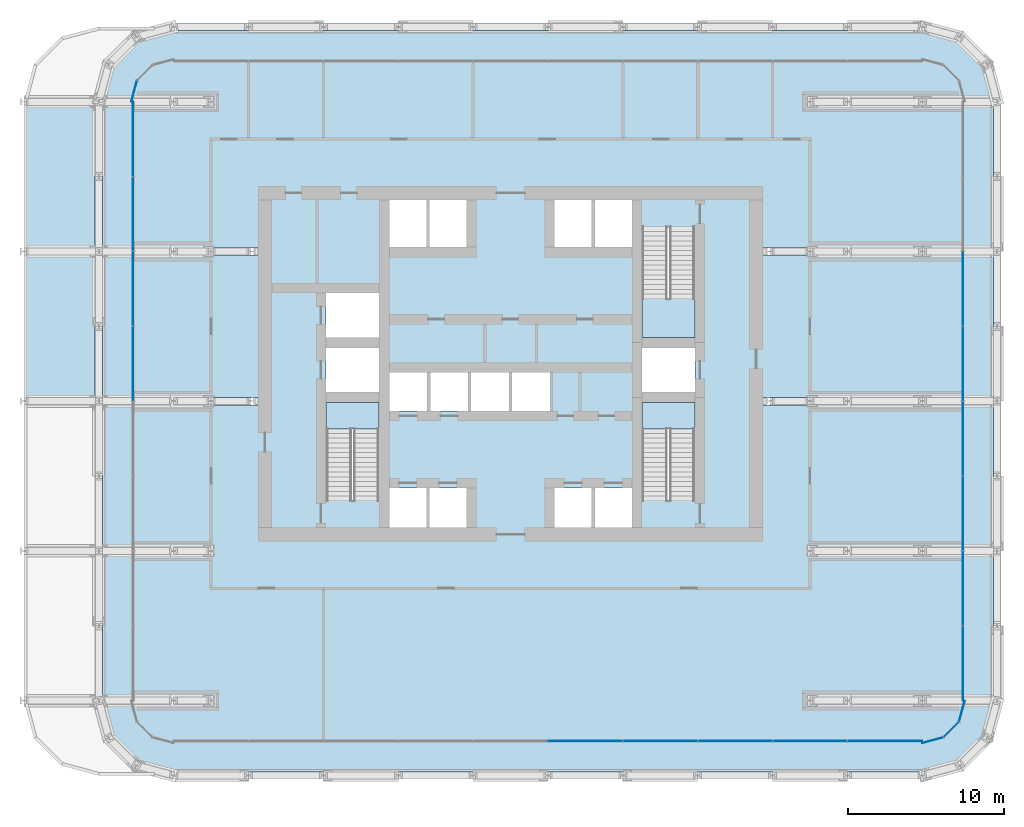
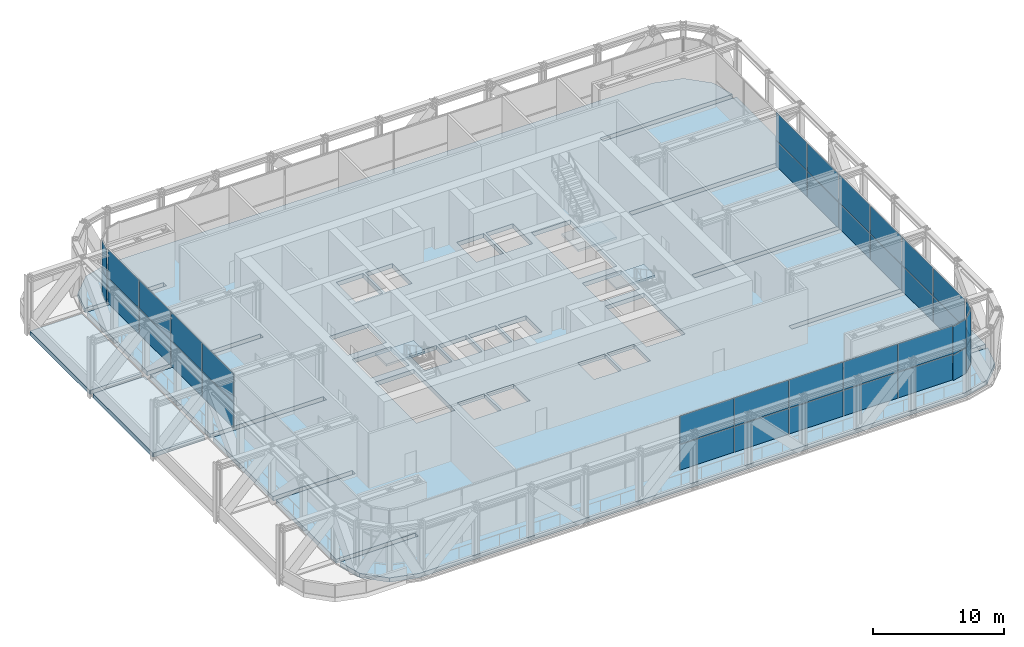
# One storey, part 18 of 30: 38 plates, 6 slabs, 8 elements without a shape of their own.
"""IFC4 building model written with IfcOpenShell, lengths in metres."""

from ifc_helpers import new_model, si_unit, direction, frame, origin, origin_2d, place, context, subcontext, project, spatial, polyline, rectangle, outline, extrude, material, layer, layer_set, type_object, element, aggregate, save


model = new_model("IFC4")

# Units and contexts
model_context = context("Model", 3, precision=1e-05, world=origin(), true_north=direction((0.0, 1.0)))
body_context = subcontext(model_context, "Body", "Model", "MODEL_VIEW")
ifc_project = project(units=[si_unit("LENGTHUNIT", "METRE"), si_unit("AREAUNIT", "SQUARE_METRE"), si_unit("VOLUMEUNIT", "CUBIC_METRE"), si_unit("PLANEANGLEUNIT", "RADIAN"), si_unit("MASSUNIT", "GRAM", prefix="KILO")], contexts=[model_context])

# Site, building, storey
site_placement = place(None, origin())
site = spatial("IfcSite", under=ifc_project, at=site_placement, CompositionType="ELEMENT")
building_placement = place(site_placement, origin())
building = spatial("IfcBuilding", under=site, at=building_placement, Name="Madar Terraces", CompositionType="ELEMENT")
storey_placement = place(building_placement, frame((0.0, 0.0, 53.89990234375)))
storey = spatial("IfcBuildingStorey", under=building, at=storey_placement, Name="L13", CompositionType="ELEMENT", Elevation=53.89990234375)

# Slab
ifc_material_1 = material(Name="Concrete C50/60", Category="concrete")
ifc_layer_1 = layer(ifc_material_1, 0.39990234375)
ifc_layer_set_1 = layer_set([ifc_layer_1], Name="FS6 PT flat slab 400")
slab_type_1 = type_object("IfcSlabType", Name="FS6 PT flat slab 400", PredefinedType="FLOOR", material=ifc_layer_set_1)
slab_1_placement = place(storey_placement, frame((0.0, 0.0, -0.39990234375)))
element("IfcSlab", 1, at=slab_1_placement, inside=storey, type_object=slab_type_1, Name="Floor slab L13 (1)", PredefinedType="FLOOR", context=body_context, shape_type="SweptSolid", body=[
    extrude(outline(polyline([(9.631103515625, 0.236328125), (57.56884765625, 0.236328125), (59.877685546875, 0.85498046875), (61.545166015625, 2.522216796875), (62.092041015625, 4.563720703125), (50.39990234375, 4.563720703125), (50.39990234375, 5.0361328125), (62.163818359375, 5.0361328125), (62.163818359375, 14.163818359375), (50.39990234375, 14.163818359375), (50.39990234375, 14.63623046875), (62.163818359375, 14.63623046875), (62.163818359375, 23.763671875), (47.39990234375, 23.763671875), (47.39990234375, 24.236328125), (62.163818359375, 24.236328125), (62.163818359375, 33.36376953125), (47.39990234375, 33.36376953125), (47.39990234375, 33.836181640625), (62.163818359375, 33.836181640625), (62.163818359375, 42.9638671875), (50.39990234375, 42.9638671875), (50.39990234375, 43.436279296875), (62.092041015625, 43.436279296875), (61.545166015625, 45.477783203125), (59.877685546875, 47.14501953125), (57.56884765625, 47.763671875), (9.631103515625, 47.763671875), (7.322265625, 47.14501953125), (5.65478515625, 45.477783203125), (5.10791015625, 43.436279296875), (12.0, 43.436279296875), (12.0, 42.9638671875), (5.0361328125, 42.9638671875), (5.0361328125, 33.836181640625), (15.0, 33.836181640625), (15.0, 33.36376953125), (5.0361328125, 33.36376953125), (5.0361328125, 24.236328125), (15.0, 24.236328125), (15.0, 23.763671875), (5.0361328125, 23.763671875), (5.0361328125, 14.63623046875), (12.0, 14.63623046875), (12.0, 14.163818359375), (5.0361328125, 14.163818359375), (5.0361328125, 5.0361328125), (12.0, 5.0361328125), (12.0, 4.563720703125), (5.10791015625, 4.563720703125), (5.65478515625, 2.522216796875), (7.322265625, 0.85498046875), (9.631103515625, 0.236328125)]), holes=[polyline([(23.425048828125, 15.89990234375), (23.425048828125, 18.425048828125), (25.800048828125, 18.425048828125), (25.800048828125, 15.89990234375), (23.425048828125, 15.89990234375)]), polyline([(26.0, 15.89990234375), (26.0, 18.425048828125), (28.375, 18.425048828125), (28.375, 15.89990234375), (26.0, 15.89990234375)]), polyline([(19.375, 17.64990234375), (19.375, 23.925048828125), (22.77490234375, 23.925048828125), (22.77490234375, 17.64990234375), (19.375, 17.64990234375)]), polyline([(23.425048828125, 23.375), (23.425048828125, 25.824951171875), (25.85009765625, 25.824951171875), (25.85009765625, 23.375), (23.425048828125, 23.375)]), polyline([(26.050048828125, 23.375), (26.050048828125, 25.824951171875), (28.47509765625, 25.824951171875), (28.47509765625, 23.375), (26.050048828125, 23.375)]), polyline([(19.375, 24.574951171875), (19.375, 27.425048828125), (22.77490234375, 27.425048828125), (22.77490234375, 24.574951171875), (19.375, 24.574951171875)]), polyline([(19.375, 28.074951171875), (19.375, 30.925048828125), (22.77490234375, 30.925048828125), (22.77490234375, 28.074951171875), (19.375, 28.074951171875)]), polyline([(23.425048828125, 36.89990234375), (25.800048828125, 36.89990234375), (25.800048828125, 33.875), (23.425048828125, 33.875), (23.425048828125, 36.89990234375)]), polyline([(26.0, 36.89990234375), (28.375, 36.89990234375), (28.375, 33.875), (26.0, 33.875), (26.0, 36.89990234375)]), polyline([(34.02490234375, 15.89990234375), (34.02490234375, 18.425048828125), (36.39990234375, 18.425048828125), (36.39990234375, 15.89990234375), (34.02490234375, 15.89990234375)]), polyline([(36.60009765625, 15.89990234375), (36.60009765625, 18.425048828125), (38.97509765625, 18.425048828125), (38.97509765625, 15.89990234375), (36.60009765625, 15.89990234375)]), polyline([(39.625, 17.64990234375), (39.625, 23.925048828125), (43.02490234375, 23.925048828125), (43.02490234375, 17.64990234375), (39.625, 17.64990234375)]), polyline([(28.675048828125, 23.375), (28.675048828125, 25.824951171875), (31.10009765625, 25.824951171875), (31.10009765625, 23.375), (28.675048828125, 23.375)]), polyline([(31.300048828125, 23.375), (31.300048828125, 25.824951171875), (33.72509765625, 25.824951171875), (33.72509765625, 23.375), (31.300048828125, 23.375)]), polyline([(39.625, 24.574951171875), (39.625, 27.425048828125), (43.02490234375, 27.425048828125), (43.02490234375, 24.574951171875), (39.625, 24.574951171875)]), polyline([(39.625, 28.074951171875), (39.625, 35.14990234375), (43.02490234375, 35.14990234375), (43.02490234375, 28.074951171875), (39.625, 28.074951171875)]), polyline([(34.02490234375, 36.89990234375), (36.39990234375, 36.89990234375), (36.39990234375, 33.875), (34.02490234375, 33.875), (34.02490234375, 36.89990234375)]), polyline([(36.60009765625, 36.89990234375), (38.97509765625, 36.89990234375), (38.97509765625, 33.875), (36.60009765625, 33.875), (36.60009765625, 36.89990234375)])]), origin(), (0.0, 0.0, 1.0), 0.39990234375),
])

# Curtain wall, plates
ifc_material_2 = material(Name="Glass, ceramic frit dark grey, with black aluminium frame", Category="aluminium")
ifc_layer_2 = layer(ifc_material_2, 0.199951171875)
ifc_layer_set_2 = layer_set([ifc_layer_2], Name="Facade curtain wall, tall glazing")
curtain_wall_type = type_object("IfcCurtainWallType", Name="Facade curtain wall, tall glazing", PredefinedType="NOTDEFINED", material=ifc_layer_set_2)
curtain_wall_1_placement = place(storey_placement, origin())
curtain_wall_1 = element("IfcCurtainWall", 2, at=curtain_wall_1_placement, inside=storey, type_object=curtain_wall_type, Name="Outer skin curtain wall south bay 1", PredefinedType="NOTDEFINED")
ifc_material_3 = material(Name="Glass, ceramic frit dark grey", Category="glass")
ifc_layer_3 = layer(ifc_material_3, 0.028076171875)
ifc_layer_set_3 = layer_set([ifc_layer_3], Name="Facade glass panel 28")
plate_type = type_object("IfcPlateType", Name="Facade glass panel 28", PredefinedType="CURTAIN_PANEL", material=ifc_layer_set_3)
plate_1_placement = place(storey_placement, frame((36.0, 2.199951171875, 0.0), z_axis=(0.0, 0.0, 1.0), x_axis=(1.0, 0.0, 0.0)))
plate_1 = element("IfcPlate", 3, at=plate_1_placement, type_object=plate_type, Name="Panel 11", PredefinedType="CURTAIN_PANEL", context=body_context, shape_type="SweptSolid", body=[
    extrude(rectangle(XDim=4.739990234375, YDim=0.028076171875, at=origin_2d()), origin(), (0.0, 0.0, 1.0), 2.3701171875),
])
plate_2_placement = place(storey_placement, frame((36.0, 2.199951171875, 2.43017578125), z_axis=(0.0, 0.0, 1.0), x_axis=(1.0, 0.0, 0.0)))
plate_2 = element("IfcPlate", 4, at=plate_2_placement, type_object=plate_type, Name="Panel 12", PredefinedType="CURTAIN_PANEL", context=body_context, shape_type="SweptSolid", body=[
    extrude(rectangle(XDim=4.739990234375, YDim=0.028076171875, at=origin_2d()), origin(), (0.0, 0.0, 1.0), 2.610107421875),
])
plate_3_placement = place(storey_placement, frame((40.800048828125, 2.199951171875, 0.0), z_axis=(0.0, 0.0, 1.0), x_axis=(1.0, 0.0, 0.0)))
plate_3 = element("IfcPlate", 5, at=plate_3_placement, type_object=plate_type, Name="Panel 13", PredefinedType="CURTAIN_PANEL", context=body_context, shape_type="SweptSolid", body=[
    extrude(rectangle(XDim=4.739990234375, YDim=0.028076171875, at=origin_2d()), origin(), (0.0, 0.0, 1.0), 2.3701171875),
])
plate_4_placement = place(storey_placement, frame((40.800048828125, 2.199951171875, 2.43017578125), z_axis=(0.0, 0.0, 1.0), x_axis=(1.0, 0.0, 0.0)))
plate_4 = element("IfcPlate", 6, at=plate_4_placement, type_object=plate_type, Name="Panel 14", PredefinedType="CURTAIN_PANEL", context=body_context, shape_type="SweptSolid", body=[
    extrude(rectangle(XDim=4.739990234375, YDim=0.028076171875, at=origin_2d()), origin(), (0.0, 0.0, 1.0), 2.610107421875),
])
plate_5_placement = place(storey_placement, frame((45.60009765625, 2.199951171875, 0.0), z_axis=(0.0, 0.0, 1.0), x_axis=(1.0, 0.0, 0.0)))
plate_5 = element("IfcPlate", 7, at=plate_5_placement, type_object=plate_type, Name="Panel 15", PredefinedType="CURTAIN_PANEL", context=body_context, shape_type="SweptSolid", body=[
    extrude(rectangle(XDim=4.739990234375, YDim=0.028076171875, at=origin_2d()), origin(), (0.0, 0.0, 1.0), 2.3701171875),
])
plate_6_placement = place(storey_placement, frame((45.60009765625, 2.199951171875, 2.43017578125), z_axis=(0.0, 0.0, 1.0), x_axis=(1.0, 0.0, 0.0)))
plate_6 = element("IfcPlate", 8, at=plate_6_placement, type_object=plate_type, Name="Panel 16", PredefinedType="CURTAIN_PANEL", context=body_context, shape_type="SweptSolid", body=[
    extrude(rectangle(XDim=4.739990234375, YDim=0.028076171875, at=origin_2d()), origin(), (0.0, 0.0, 1.0), 2.610107421875),
])
plate_7_placement = place(storey_placement, frame((50.39990234375, 2.199951171875, 0.0), z_axis=(0.0, 0.0, 1.0), x_axis=(1.0, 0.0, 0.0)))
plate_7 = element("IfcPlate", 9, at=plate_7_placement, type_object=plate_type, Name="Panel 17", PredefinedType="CURTAIN_PANEL", context=body_context, shape_type="SweptSolid", body=[
    extrude(rectangle(XDim=4.739990234375, YDim=0.028076171875, at=origin_2d()), origin(), (0.0, 0.0, 1.0), 2.3701171875),
])
plate_8_placement = place(storey_placement, frame((50.39990234375, 2.199951171875, 2.43017578125), z_axis=(0.0, 0.0, 1.0), x_axis=(1.0, 0.0, 0.0)))
plate_8 = element("IfcPlate", 10, at=plate_8_placement, type_object=plate_type, Name="Panel 18", PredefinedType="CURTAIN_PANEL", context=body_context, shape_type="SweptSolid", body=[
    extrude(rectangle(XDim=4.739990234375, YDim=0.028076171875, at=origin_2d()), origin(), (0.0, 0.0, 1.0), 2.610107421875),
])
plate_9_placement = place(storey_placement, frame((55.215087890625, 2.199951171875, 0.0), z_axis=(0.0, 0.0, 1.0), x_axis=(1.0, 0.0, 0.0)))
plate_9 = element("IfcPlate", 11, at=plate_9_placement, type_object=plate_type, Name="Panel 19", PredefinedType="CURTAIN_PANEL", context=body_context, shape_type="SweptSolid", body=[
    extrude(rectangle(XDim=4.77001953125, YDim=0.028076171875, at=origin_2d()), origin(), (0.0, 0.0, 1.0), 2.3701171875),
])
plate_10_placement = place(storey_placement, frame((55.215087890625, 2.199951171875, 2.43017578125), z_axis=(0.0, 0.0, 1.0), x_axis=(1.0, 0.0, 0.0)))
plate_10 = element("IfcPlate", 12, at=plate_10_placement, type_object=plate_type, Name="Panel 20", PredefinedType="CURTAIN_PANEL", context=body_context, shape_type="SweptSolid", body=[
    extrude(rectangle(XDim=4.77001953125, YDim=0.028076171875, at=origin_2d()), origin(), (0.0, 0.0, 1.0), 2.610107421875),
])
aggregate(curtain_wall_1, [plate_1, plate_2, plate_3, plate_4, plate_5, plate_6, plate_7, plate_8, plate_9, plate_10])

curtain_wall_2_placement = place(storey_placement, origin())
curtain_wall_2 = element("IfcCurtainWall", 13, at=curtain_wall_2_placement, inside=storey, type_object=curtain_wall_type, Name="Outer skin curtain wall east bay 1", PredefinedType="NOTDEFINED")
plate_11_placement = place(storey_placement, frame((60.199951171875, 7.18505859375, 0.0), z_axis=(0.0, 0.0, 1.0), x_axis=(0.0, 1.0, 0.0)))
plate_11 = element("IfcPlate", 14, at=plate_11_placement, type_object=plate_type, Name="Panel 1", PredefinedType="CURTAIN_PANEL", context=body_context, shape_type="SweptSolid", body=[
    extrude(rectangle(XDim=4.77001953125, YDim=0.028076171875, at=origin_2d()), origin(), (0.0, 0.0, 1.0), 2.3701171875),
])
plate_12_placement = place(storey_placement, frame((60.199951171875, 7.18505859375, 2.43017578125), z_axis=(0.0, 0.0, 1.0), x_axis=(0.0, 1.0, 0.0)))
plate_12 = element("IfcPlate", 15, at=plate_12_placement, type_object=plate_type, Name="Panel 2", PredefinedType="CURTAIN_PANEL", context=body_context, shape_type="SweptSolid", body=[
    extrude(rectangle(XDim=4.77001953125, YDim=0.028076171875, at=origin_2d()), origin(), (0.0, 0.0, 1.0), 2.610107421875),
])
plate_13_placement = place(storey_placement, frame((60.199951171875, 12.0, 0.0), z_axis=(0.0, 0.0, 1.0), x_axis=(0.0, 1.0, 0.0)))
plate_13 = element("IfcPlate", 16, at=plate_13_placement, type_object=plate_type, Name="Panel 3", PredefinedType="CURTAIN_PANEL", context=body_context, shape_type="SweptSolid", body=[
    extrude(rectangle(XDim=4.739990234375, YDim=0.028076171875, at=origin_2d()), origin(), (0.0, 0.0, 1.0), 2.3701171875),
])
plate_14_placement = place(storey_placement, frame((60.199951171875, 12.0, 2.43017578125), z_axis=(0.0, 0.0, 1.0), x_axis=(0.0, 1.0, 0.0)))
plate_14 = element("IfcPlate", 17, at=plate_14_placement, type_object=plate_type, Name="Panel 4", PredefinedType="CURTAIN_PANEL", context=body_context, shape_type="SweptSolid", body=[
    extrude(rectangle(XDim=4.739990234375, YDim=0.028076171875, at=origin_2d()), origin(), (0.0, 0.0, 1.0), 2.610107421875),
])
plate_15_placement = place(storey_placement, frame((60.199951171875, 16.800048828125, 0.0), z_axis=(0.0, 0.0, 1.0), x_axis=(0.0, 1.0, 0.0)))
plate_15 = element("IfcPlate", 18, at=plate_15_placement, type_object=plate_type, Name="Panel 5", PredefinedType="CURTAIN_PANEL", context=body_context, shape_type="SweptSolid", body=[
    extrude(rectangle(XDim=4.739990234375, YDim=0.028076171875, at=origin_2d()), origin(), (0.0, 0.0, 1.0), 2.3701171875),
])
plate_16_placement = place(storey_placement, frame((60.199951171875, 16.800048828125, 2.43017578125), z_axis=(0.0, 0.0, 1.0), x_axis=(0.0, 1.0, 0.0)))
plate_16 = element("IfcPlate", 19, at=plate_16_placement, type_object=plate_type, Name="Panel 6", PredefinedType="CURTAIN_PANEL", context=body_context, shape_type="SweptSolid", body=[
    extrude(rectangle(XDim=4.739990234375, YDim=0.028076171875, at=origin_2d()), origin(), (0.0, 0.0, 1.0), 2.610107421875),
])
plate_17_placement = place(storey_placement, frame((60.199951171875, 21.60009765625, 0.0), z_axis=(0.0, 0.0, 1.0), x_axis=(0.0, 1.0, 0.0)))
plate_17 = element("IfcPlate", 20, at=plate_17_placement, type_object=plate_type, Name="Panel 7", PredefinedType="CURTAIN_PANEL", context=body_context, shape_type="SweptSolid", body=[
    extrude(rectangle(XDim=4.739990234375, YDim=0.028076171875, at=origin_2d()), origin(), (0.0, 0.0, 1.0), 2.3701171875),
])
plate_18_placement = place(storey_placement, frame((60.199951171875, 21.60009765625, 2.43017578125), z_axis=(0.0, 0.0, 1.0), x_axis=(0.0, 1.0, 0.0)))
plate_18 = element("IfcPlate", 21, at=plate_18_placement, type_object=plate_type, Name="Panel 8", PredefinedType="CURTAIN_PANEL", context=body_context, shape_type="SweptSolid", body=[
    extrude(rectangle(XDim=4.739990234375, YDim=0.028076171875, at=origin_2d()), origin(), (0.0, 0.0, 1.0), 2.610107421875),
])
plate_19_placement = place(storey_placement, frame((60.199951171875, 26.39990234375, 0.0), z_axis=(0.0, 0.0, 1.0), x_axis=(0.0, 1.0, 0.0)))
plate_19 = element("IfcPlate", 22, at=plate_19_placement, type_object=plate_type, Name="Panel 9", PredefinedType="CURTAIN_PANEL", context=body_context, shape_type="SweptSolid", body=[
    extrude(rectangle(XDim=4.739990234375, YDim=0.028076171875, at=origin_2d()), origin(), (0.0, 0.0, 1.0), 2.3701171875),
])
plate_20_placement = place(storey_placement, frame((60.199951171875, 26.39990234375, 2.43017578125), z_axis=(0.0, 0.0, 1.0), x_axis=(0.0, 1.0, 0.0)))
plate_20 = element("IfcPlate", 23, at=plate_20_placement, type_object=plate_type, Name="Panel 10", PredefinedType="CURTAIN_PANEL", context=body_context, shape_type="SweptSolid", body=[
    extrude(rectangle(XDim=4.739990234375, YDim=0.028076171875, at=origin_2d()), origin(), (0.0, 0.0, 1.0), 2.610107421875),
])
plate_21_placement = place(storey_placement, frame((60.199951171875, 31.199951171875, 0.0), z_axis=(0.0, 0.0, 1.0), x_axis=(0.0, 1.0, 0.0)))
plate_21 = element("IfcPlate", 24, at=plate_21_placement, type_object=plate_type, Name="Panel 11", PredefinedType="CURTAIN_PANEL", context=body_context, shape_type="SweptSolid", body=[
    extrude(rectangle(XDim=4.739990234375, YDim=0.028076171875, at=origin_2d()), origin(), (0.0, 0.0, 1.0), 2.3701171875),
])
plate_22_placement = place(storey_placement, frame((60.199951171875, 31.199951171875, 2.43017578125), z_axis=(0.0, 0.0, 1.0), x_axis=(0.0, 1.0, 0.0)))
plate_22 = element("IfcPlate", 25, at=plate_22_placement, type_object=plate_type, Name="Panel 12", PredefinedType="CURTAIN_PANEL", context=body_context, shape_type="SweptSolid", body=[
    extrude(rectangle(XDim=4.739990234375, YDim=0.028076171875, at=origin_2d()), origin(), (0.0, 0.0, 1.0), 2.610107421875),
])
aggregate(curtain_wall_2, [plate_11, plate_12, plate_13, plate_14, plate_15, plate_16, plate_17, plate_18, plate_19, plate_20, plate_21, plate_22])

curtain_wall_3_placement = place(storey_placement, origin())
curtain_wall_3 = element("IfcCurtainWall", 26, at=curtain_wall_3_placement, inside=storey, type_object=curtain_wall_type, Name="Outer skin curtain wall west bay 1", PredefinedType="NOTDEFINED")
plate_23_placement = place(storey_placement, frame((7.0, 40.81494140625, 0.0), z_axis=(0.0, 0.0, 1.0), x_axis=(0.0, -1.0, 0.0)))
plate_23 = element("IfcPlate", 27, at=plate_23_placement, type_object=plate_type, Name="Panel 1", PredefinedType="CURTAIN_PANEL", context=body_context, shape_type="SweptSolid", body=[
    extrude(rectangle(XDim=4.77001953125, YDim=0.028076171875, at=origin_2d()), origin(), (0.0, 0.0, 1.0), 2.3701171875),
])
plate_24_placement = place(storey_placement, frame((7.0, 40.81494140625, 2.43017578125), z_axis=(0.0, 0.0, 1.0), x_axis=(0.0, -1.0, 0.0)))
plate_24 = element("IfcPlate", 28, at=plate_24_placement, type_object=plate_type, Name="Panel 2", PredefinedType="CURTAIN_PANEL", context=body_context, shape_type="SweptSolid", body=[
    extrude(rectangle(XDim=4.77001953125, YDim=0.028076171875, at=origin_2d()), origin(), (0.0, 0.0, 1.0), 2.610107421875),
])
plate_25_placement = place(storey_placement, frame((7.0, 36.0, 0.0), z_axis=(0.0, 0.0, 1.0), x_axis=(0.0, -1.0, 0.0)))
plate_25 = element("IfcPlate", 29, at=plate_25_placement, type_object=plate_type, Name="Panel 3", PredefinedType="CURTAIN_PANEL", context=body_context, shape_type="SweptSolid", body=[
    extrude(rectangle(XDim=4.739990234375, YDim=0.028076171875, at=origin_2d()), origin(), (0.0, 0.0, 1.0), 2.3701171875),
])
plate_26_placement = place(storey_placement, frame((7.0, 36.0, 2.43017578125), z_axis=(0.0, 0.0, 1.0), x_axis=(0.0, -1.0, 0.0)))
plate_26 = element("IfcPlate", 30, at=plate_26_placement, type_object=plate_type, Name="Panel 4", PredefinedType="CURTAIN_PANEL", context=body_context, shape_type="SweptSolid", body=[
    extrude(rectangle(XDim=4.739990234375, YDim=0.028076171875, at=origin_2d()), origin(), (0.0, 0.0, 1.0), 2.610107421875),
])
plate_27_placement = place(storey_placement, frame((7.0, 31.199951171875, 0.0), z_axis=(0.0, 0.0, 1.0), x_axis=(0.0, -1.0, 0.0)))
plate_27 = element("IfcPlate", 31, at=plate_27_placement, type_object=plate_type, Name="Panel 5", PredefinedType="CURTAIN_PANEL", context=body_context, shape_type="SweptSolid", body=[
    extrude(rectangle(XDim=4.739990234375, YDim=0.028076171875, at=origin_2d()), origin(), (0.0, 0.0, 1.0), 2.3701171875),
])
plate_28_placement = place(storey_placement, frame((7.0, 31.199951171875, 2.43017578125), z_axis=(0.0, 0.0, 1.0), x_axis=(0.0, -1.0, 0.0)))
plate_28 = element("IfcPlate", 32, at=plate_28_placement, type_object=plate_type, Name="Panel 6", PredefinedType="CURTAIN_PANEL", context=body_context, shape_type="SweptSolid", body=[
    extrude(rectangle(XDim=4.739990234375, YDim=0.028076171875, at=origin_2d()), origin(), (0.0, 0.0, 1.0), 2.610107421875),
])
plate_29_placement = place(storey_placement, frame((7.0, 26.39990234375, 0.0), z_axis=(0.0, 0.0, 1.0), x_axis=(0.0, -1.0, 0.0)))
plate_29 = element("IfcPlate", 33, at=plate_29_placement, type_object=plate_type, Name="Panel 7", PredefinedType="CURTAIN_PANEL", context=body_context, shape_type="SweptSolid", body=[
    extrude(rectangle(XDim=4.739990234375, YDim=0.028076171875, at=origin_2d()), origin(), (0.0, 0.0, 1.0), 2.3701171875),
])
plate_30_placement = place(storey_placement, frame((7.0, 26.39990234375, 2.43017578125), z_axis=(0.0, 0.0, 1.0), x_axis=(0.0, -1.0, 0.0)))
plate_30 = element("IfcPlate", 34, at=plate_30_placement, type_object=plate_type, Name="Panel 8", PredefinedType="CURTAIN_PANEL", context=body_context, shape_type="SweptSolid", body=[
    extrude(rectangle(XDim=4.739990234375, YDim=0.028076171875, at=origin_2d()), origin(), (0.0, 0.0, 1.0), 2.610107421875),
])
aggregate(curtain_wall_3, [plate_23, plate_24, plate_25, plate_26, plate_27, plate_28, plate_29, plate_30])

curtain_wall_4_placement = place(storey_placement, origin())
curtain_wall_4 = element("IfcCurtainWall", 35, at=curtain_wall_4_placement, inside=storey, type_object=curtain_wall_type, Name="Outer skin curtain wall south-east corner", PredefinedType="NOTDEFINED")
plate_31_placement = place(storey_placement, frame((58.265625, 2.25830078125, 0.0), z_axis=(0.0, 0.0, 1.0), x_axis=(0.965925808834, 0.258819110244, 0.0)))
plate_31 = element("IfcPlate", 36, at=plate_31_placement, type_object=plate_type, Name="Panel 1", PredefinedType="CURTAIN_PANEL", context=body_context, shape_type="SweptSolid", body=[
    extrude(rectangle(XDim=1.3779296875, YDim=0.028076171875, at=origin_2d()), origin(), (0.0, 0.0, 1.0), 2.3701171875),
])
plate_32_placement = place(storey_placement, frame((58.265625, 2.25830078125, 2.43017578125), z_axis=(0.0, 0.0, 1.0), x_axis=(0.965925808834, 0.258819110244, 0.0)))
plate_32 = element("IfcPlate", 37, at=plate_32_placement, type_object=plate_type, Name="Panel 2", PredefinedType="CURTAIN_PANEL", context=body_context, shape_type="SweptSolid", body=[
    extrude(rectangle(XDim=1.3779296875, YDim=0.028076171875, at=origin_2d()), origin(), (0.0, 0.0, 1.0), 2.610107421875),
])
plate_33_placement = place(storey_placement, frame((59.457763671875, 2.942138671875, 0.0), z_axis=(0.0, 0.0, 1.0), x_axis=(0.707106781187, 0.707106781187, 0.0)))
plate_33 = element("IfcPlate", 38, at=plate_33_placement, type_object=plate_type, Name="Panel 3", PredefinedType="CURTAIN_PANEL", context=body_context, shape_type="SweptSolid", body=[
    extrude(rectangle(XDim=1.347900390625, YDim=0.028076171875, at=origin_2d()), origin(), (0.0, 0.0, 1.0), 2.3701171875),
])
plate_34_placement = place(storey_placement, frame((59.457763671875, 2.942138671875, 2.43017578125), z_axis=(0.0, 0.0, 1.0), x_axis=(0.707106781187, 0.707106781187, 0.0)))
plate_34 = element("IfcPlate", 39, at=plate_34_placement, type_object=plate_type, Name="Panel 4", PredefinedType="CURTAIN_PANEL", context=body_context, shape_type="SweptSolid", body=[
    extrude(rectangle(XDim=1.347900390625, YDim=0.028076171875, at=origin_2d()), origin(), (0.0, 0.0, 1.0), 2.610107421875),
])
plate_35_placement = place(storey_placement, frame((60.1416015625, 4.134521484375, 0.0), z_axis=(0.0, 0.0, 1.0), x_axis=(0.258819110244, 0.965925808834, 0.0)))
plate_35 = element("IfcPlate", 40, at=plate_35_placement, type_object=plate_type, Name="Panel 5", PredefinedType="CURTAIN_PANEL", context=body_context, shape_type="SweptSolid", body=[
    extrude(rectangle(XDim=1.3779296875, YDim=0.028076171875, at=origin_2d()), origin(), (0.0, 0.0, 1.0), 2.3701171875),
])
plate_36_placement = place(storey_placement, frame((60.1416015625, 4.134521484375, 2.43017578125), z_axis=(0.0, 0.0, 1.0), x_axis=(0.258819110244, 0.965925808834, 0.0)))
plate_36 = element("IfcPlate", 41, at=plate_36_placement, type_object=plate_type, Name="Panel 6", PredefinedType="CURTAIN_PANEL", context=body_context, shape_type="SweptSolid", body=[
    extrude(rectangle(XDim=1.3779296875, YDim=0.028076171875, at=origin_2d()), origin(), (0.0, 0.0, 1.0), 2.610107421875),
])
aggregate(curtain_wall_4, [plate_31, plate_32, plate_33, plate_34, plate_35, plate_36])

curtain_wall_5_placement = place(storey_placement, origin())
curtain_wall_5 = element("IfcCurtainWall", 42, at=curtain_wall_5_placement, inside=storey, type_object=curtain_wall_type, Name="Outer skin curtain wall north-west corner", PredefinedType="NOTDEFINED")
plate_37_placement = place(storey_placement, frame((7.058349609375, 43.865478515625, 0.0), z_axis=(0.0, 0.0, 1.0), x_axis=(-0.258819110244, -0.965925808834, 0.0)))
plate_37 = element("IfcPlate", 43, at=plate_37_placement, type_object=plate_type, Name="Panel 5", PredefinedType="CURTAIN_PANEL", context=body_context, shape_type="SweptSolid", body=[
    extrude(rectangle(XDim=1.3779296875, YDim=0.028076171875, at=origin_2d()), origin(), (0.0, 0.0, 1.0), 2.3701171875),
])
plate_38_placement = place(storey_placement, frame((7.058349609375, 43.865478515625, 2.43017578125), z_axis=(0.0, 0.0, 1.0), x_axis=(-0.258819110244, -0.965925808834, 0.0)))
plate_38 = element("IfcPlate", 44, at=plate_38_placement, type_object=plate_type, Name="Panel 6", PredefinedType="CURTAIN_PANEL", context=body_context, shape_type="SweptSolid", body=[
    extrude(rectangle(XDim=1.3779296875, YDim=0.028076171875, at=origin_2d()), origin(), (0.0, 0.0, 1.0), 2.610107421875),
])
aggregate(curtain_wall_5, [plate_37, plate_38])

# Stair, slab
ifc_material_4 = material(Name="Concrete C50/60", Category="concrete")
stair_type_1 = type_object("IfcStairType", Name="Stair ST1 protected exit", PredefinedType="HALF_TURN_STAIR", material=ifc_material_4)
stair_1_placement = place(storey_placement, origin())
stair_1 = element("IfcStair", 45, at=stair_1_placement, inside=storey, type_object=stair_type_1, Name="L13 Protected Exit Stair ST1", PredefinedType="HALF_TURN_STAIR")
ifc_material_5 = material(Name="Concrete C50/60", Category="concrete")
ifc_layer_4 = layer(ifc_material_5, 0.199951171875)
ifc_layer_set_4 = layer_set([ifc_layer_4], Name="Stair landing 200, top +2.70")
slab_type_2 = type_object("IfcSlabType", Name="Stair landing 200, top +2.70", PredefinedType="LANDING", material=ifc_layer_set_4)
slab_2_placement = place(storey_placement, frame((0.0, 0.0, 2.5)))
slab_2 = element("IfcSlab", 46, at=slab_2_placement, type_object=slab_type_2, Name="ST1 landing 1", PredefinedType="LANDING", context=body_context, shape_type="SweptSolid", body=[
    extrude(outline(polyline([(19.375, 22.219970703125), (22.77490234375, 22.219970703125), (22.77490234375, 23.925048828125), (19.375, 23.925048828125), (19.375, 22.219970703125)])), origin(), (0.0, 0.0, 1.0), 0.2001953125),
])
aggregate(stair_1, [slab_2])

ifc_material_6 = material(Name="Concrete C50/60", Category="concrete")
stair_type_2 = type_object("IfcStairType", Name="Stair ST2 protected exit", PredefinedType="HALF_TURN_STAIR", material=ifc_material_6)
stair_2_placement = place(storey_placement, origin())
stair_2 = element("IfcStair", 47, at=stair_2_placement, inside=storey, type_object=stair_type_2, Name="L13 Protected Exit Stair ST2", PredefinedType="HALF_TURN_STAIR")
slab_3_placement = place(storey_placement, frame((0.0, 0.0, 2.5)))
slab_3 = element("IfcSlab", 48, at=slab_3_placement, type_object=slab_type_2, Name="ST2 landing 1", PredefinedType="LANDING", context=body_context, shape_type="SweptSolid", body=[
    extrude(outline(polyline([(39.625, 28.074951171875), (43.02490234375, 28.074951171875), (43.02490234375, 30.580078125), (39.625, 30.580078125), (39.625, 28.074951171875)])), origin(), (0.0, 0.0, 1.0), 0.2001953125),
])
aggregate(stair_2, [slab_3])

ifc_material_7 = material(Name="Concrete C50/60", Category="concrete")
stair_type_3 = type_object("IfcStairType", Name="Stair ST3 protected exit", PredefinedType="HALF_TURN_STAIR", material=ifc_material_7)
stair_3_placement = place(storey_placement, origin())
stair_3 = element("IfcStair", 49, at=stair_3_placement, inside=storey, type_object=stair_type_3, Name="L13 Protected Exit Stair ST3", PredefinedType="HALF_TURN_STAIR")
slab_4_placement = place(storey_placement, frame((0.0, 0.0, 2.5)))
slab_4 = element("IfcSlab", 50, at=slab_4_placement, type_object=slab_type_2, Name="ST3 landing 1", PredefinedType="LANDING", context=body_context, shape_type="SweptSolid", body=[
    extrude(outline(polyline([(39.625, 22.219970703125), (43.02490234375, 22.219970703125), (43.02490234375, 23.925048828125), (39.625, 23.925048828125), (39.625, 22.219970703125)])), origin(), (0.0, 0.0, 1.0), 0.2001953125),
])
aggregate(stair_3, [slab_4])

# Slabs
ifc_material_8 = material(Name="Concrete C50/60", Category="concrete")
ifc_layer_5 = layer(ifc_material_8, 0.39990234375)
ifc_layer_set_5 = layer_set([ifc_layer_5], Name="TS1 PT terrace slab 400")
slab_type_3 = type_object("IfcSlabType", Name="TS1 PT terrace slab 400", PredefinedType="FLOOR", material=ifc_layer_set_5)
slab_5_placement = place(storey_placement, frame((0.0, 0.0, -0.39990234375)))
element("IfcSlab", 51, at=slab_5_placement, inside=storey, type_object=slab_type_3, Name="Terrace roof slab L13 (3)", PredefinedType="FLOOR", context=body_context, shape_type="SweptSolid", body=[
    extrude(outline(polyline([(0.000244140625, 33.318603515625), (0.0, 33.313720703125), (0.0, 24.2861328125), (0.000244140625, 24.28125), (0.0009765625, 24.2763671875), (0.002197265625, 24.271728515625), (0.00390625, 24.26708984375), (0.005859375, 24.2626953125), (0.008544921875, 24.258544921875), (0.01123046875, 24.25439453125), (0.0146484375, 24.2509765625), (0.018310546875, 24.24755859375), (0.022216796875, 24.24462890625), (0.0263671875, 24.2421875), (0.03076171875, 24.239990234375), (0.035400390625, 24.23828125), (0.040283203125, 24.237060546875), (0.045166015625, 24.236572265625), (0.050048828125, 24.236328125), (4.513671875, 24.236328125), (4.518798828125, 24.236572265625), (4.5234375, 24.237060546875), (4.5283203125, 24.23828125), (4.532958984375, 24.239990234375), (4.537353515625, 24.2421875), (4.54150390625, 24.24462890625), (4.54541015625, 24.24755859375), (4.549072265625, 24.2509765625), (4.552490234375, 24.25439453125), (4.555419921875, 24.258544921875), (4.557861328125, 24.2626953125), (4.56005859375, 24.26708984375), (4.5615234375, 24.271728515625), (4.562744140625, 24.2763671875), (4.5634765625, 24.28125), (4.563720703125, 24.2861328125), (4.563720703125, 33.313720703125), (4.5634765625, 33.318603515625), (4.562744140625, 33.323486328125), (4.5615234375, 33.328369140625), (4.56005859375, 33.3330078125), (4.557861328125, 33.33740234375), (4.555419921875, 33.341552734375), (4.552490234375, 33.345458984375), (4.549072265625, 33.34912109375), (4.54541015625, 33.3525390625), (4.54150390625, 33.35546875), (4.537353515625, 33.35791015625), (4.532958984375, 33.35986328125), (4.5283203125, 33.361572265625), (4.5234375, 33.36279296875), (4.518798828125, 33.363525390625), (4.513671875, 33.36376953125), (0.050048828125, 33.36376953125), (0.045166015625, 33.363525390625), (0.040283203125, 33.36279296875), (0.035400390625, 33.361572265625), (0.03076171875, 33.35986328125), (0.0263671875, 33.35791015625), (0.022216796875, 33.35546875), (0.018310546875, 33.3525390625), (0.0146484375, 33.34912109375), (0.01123046875, 33.345458984375), (0.008544921875, 33.341552734375), (0.005859375, 33.33740234375), (0.00390625, 33.3330078125), (0.002197265625, 33.328369140625), (0.0009765625, 33.323486328125), (0.000244140625, 33.318603515625)])), origin(), (0.0, 0.0, 1.0), 0.39990234375),
])
slab_6_placement = place(storey_placement, frame((0.0, 0.0, -0.39990234375)))
element("IfcSlab", 52, at=slab_6_placement, inside=storey, type_object=slab_type_3, Name="Terrace roof slab L13 (4)", PredefinedType="FLOOR", context=body_context, shape_type="SweptSolid", body=[
    extrude(outline(polyline([(0.0009765625, 42.923583984375), (0.000244140625, 42.918701171875), (0.0, 42.913818359375), (0.0, 33.88623046875), (0.000244140625, 33.88134765625), (0.0009765625, 33.87646484375), (0.002197265625, 33.871826171875), (0.00390625, 33.8671875), (0.005859375, 33.862548828125), (0.008544921875, 33.8583984375), (0.01123046875, 33.8544921875), (0.0146484375, 33.850830078125), (0.018310546875, 33.84765625), (0.022216796875, 33.8447265625), (0.0263671875, 33.842041015625), (0.03076171875, 33.840087890625), (0.035400390625, 33.83837890625), (0.040283203125, 33.837158203125), (0.045166015625, 33.83642578125), (0.050048828125, 33.836181640625), (4.513671875, 33.836181640625), (4.518798828125, 33.83642578125), (4.5234375, 33.837158203125), (4.5283203125, 33.83837890625), (4.532958984375, 33.840087890625), (4.537353515625, 33.842041015625), (4.54150390625, 33.8447265625), (4.54541015625, 33.84765625), (4.549072265625, 33.850830078125), (4.552490234375, 33.8544921875), (4.555419921875, 33.8583984375), (4.557861328125, 33.862548828125), (4.56005859375, 33.8671875), (4.5615234375, 33.871826171875), (4.562744140625, 33.87646484375), (4.5634765625, 33.88134765625), (4.563720703125, 33.88623046875), (4.563720703125, 42.913818359375), (4.5634765625, 42.918701171875), (4.562744140625, 42.923583984375), (4.5615234375, 42.92822265625), (4.56005859375, 42.932861328125), (4.557861328125, 42.937255859375), (4.555419921875, 42.941650390625), (4.552490234375, 42.945556640625), (4.549072265625, 42.94921875), (4.54541015625, 42.952392578125), (4.54150390625, 42.955322265625), (4.537353515625, 42.957763671875), (4.532958984375, 42.9599609375), (4.5283203125, 42.961669921875), (4.5234375, 42.962890625), (4.518798828125, 42.963623046875), (4.513671875, 42.9638671875), (0.050048828125, 42.9638671875), (0.045166015625, 42.963623046875), (0.040283203125, 42.962890625), (0.035400390625, 42.961669921875), (0.03076171875, 42.9599609375), (0.0263671875, 42.957763671875), (0.022216796875, 42.955322265625), (0.018310546875, 42.952392578125), (0.0146484375, 42.94921875), (0.01123046875, 42.945556640625), (0.008544921875, 42.941650390625), (0.005859375, 42.937255859375), (0.00390625, 42.932861328125), (0.002197265625, 42.92822265625), (0.0009765625, 42.923583984375)])), origin(), (0.0, 0.0, 1.0), 0.39990234375),
])

save(model, "model.ifc")
